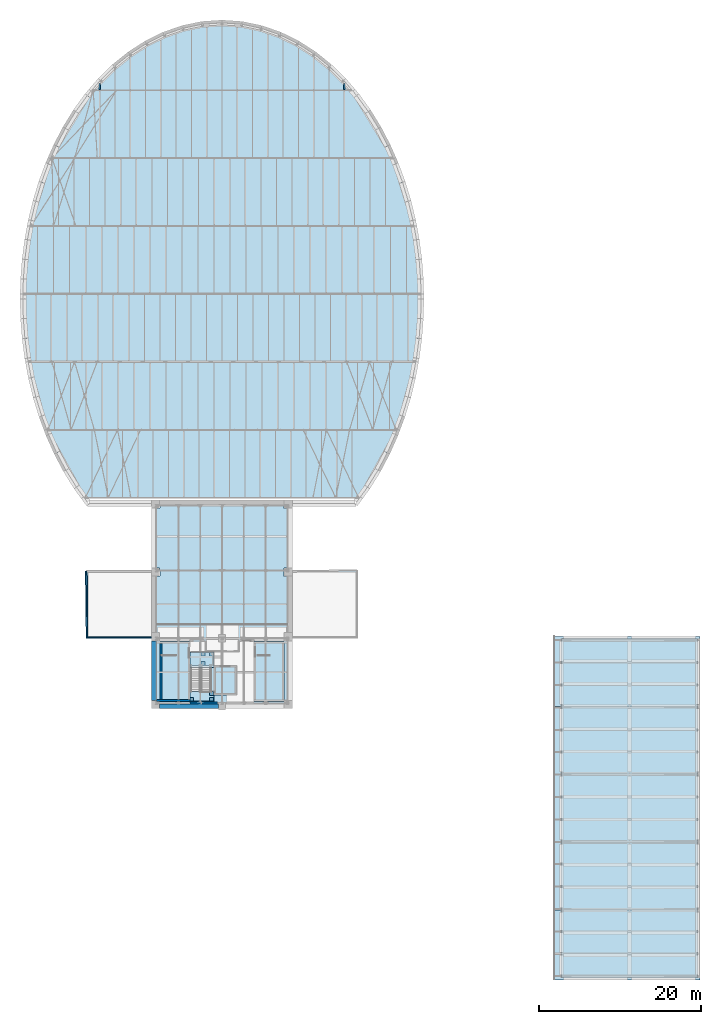
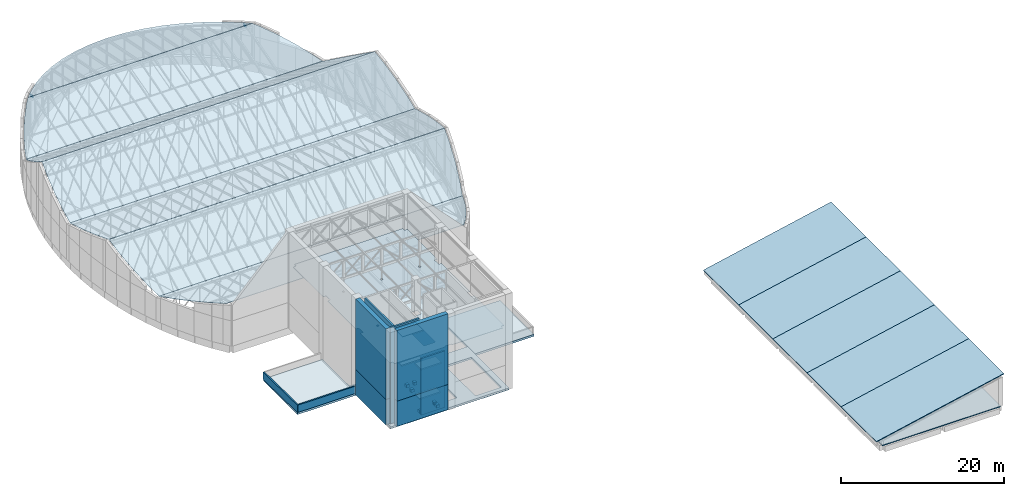
# One storey, part 35 of 68: 27 slabs, 9 walls, 2 members, 1 element without a shape of its own.
"""IFC4 building model written with IfcOpenShell, lengths in metres."""

from ifc_helpers import new_model, si_unit, direction, frame, frame_2d, origin, origin_2d, place, context, subcontext, project, spatial, polyline, rectangle, i_section, outline, extrude, material, layer, layer_set, material_profile, profile_set, type_object, element, aggregate, save


model = new_model("IFC4")

# Units and contexts
model_context = context("Model", 3, precision=1e-05, world=origin(), true_north=direction((0.0, 1.0)))
body_context = subcontext(model_context, "Body", "Model", "MODEL_VIEW")
ifc_project = project(units=[si_unit("LENGTHUNIT", "METRE"), si_unit("AREAUNIT", "SQUARE_METRE"), si_unit("VOLUMEUNIT", "CUBIC_METRE"), si_unit("PLANEANGLEUNIT", "RADIAN"), si_unit("MASSUNIT", "GRAM", prefix="KILO")], contexts=[model_context])

# Site, building, storey
site_placement = place(None, origin())
site = spatial("IfcSite", under=ifc_project, at=site_placement, CompositionType="ELEMENT")
building_placement = place(site_placement, origin())
building = spatial("IfcBuilding", under=site, at=building_placement, Name="Larchfold Concert Hall", CompositionType="ELEMENT")
storey_placement = place(building_placement, frame((0.0, 0.0, 28.800048828125)))
storey = spatial("IfcBuildingStorey", under=building, at=storey_placement, Name="L06", CompositionType="ELEMENT", Elevation=28.800048828125)

# Members
ifc_material_1 = material(Name="Steel S355", Category="steel")
ifc_material_profile = material_profile(ifc_material_1, i_section(OverallWidth=0.14990234375, OverallDepth=0.300048828125, WebThickness=0.007080078125, FlangeThickness=0.0107421875, FilletRadius=0.014892578125, at=origin_2d()))
ifc_profile_set = profile_set([ifc_material_profile], Name="Steel S355")
member_type = type_object("IfcMemberType", Name="Rafter IPE 300", PredefinedType="RAFTER", material=ifc_profile_set)
for number, where, z_axis, x_axis, name in (
    (1, (27.475341796875, 110.454833984375, 5.657958984375), (0.0, 0.98056854317, -0.196176787987), (-1.0, 0.0, 0.0), "Member RF0129"),
    (2, (57.724853515625, 110.454833984375, 5.657958984375), (0.0, 0.98056854317, -0.196176787987), (-1.0, 0.0, 0.0), "Member RF0145"),
):
    element("IfcMember", number, at=place(storey_placement, frame(where, z_axis=z_axis, x_axis=x_axis)), inside=storey, type_object=member_type, Name=name, PredefinedType="RAFTER", context=body_context, shape_type="SweptSolid", body=[
        extrude(i_section(OverallWidth=0.14990234375, OverallDepth=0.300048828125, WebThickness=0.007080078125, FlangeThickness=0.0107421875, FilletRadius=0.014892578125, at=origin_2d()), origin(), (0.0, 0.0, 1.0), 0.774169921875),
    ])

# Slabs
ifc_material_2 = material(Name="Steel S355", Category="steel")
ifc_layer_1 = layer(ifc_material_2, 0.10009765625)
ifc_layer_set_1 = layer_set([ifc_layer_1], Name="Steel S355")
slab_type_1 = type_object("IfcSlabType", Name="Roof plate 100 insulated", PredefinedType="ROOF", material=ifc_layer_set_1)
slab_1_placement = place(storey_placement, frame((101.699951171875, 0.35009765625, 4.91357421875), z_axis=(-0.209528189005, 0.0, 0.977802606875), x_axis=(0.0, 1.0, 0.0)))
element("IfcSlab", 3, at=slab_1_placement, inside=storey, type_object=slab_type_1, Name="Roof plate FP043", PredefinedType="ROOF", context=body_context, shape_type="SweptSolid", body=[
    extrude(outline(polyline([(0.0, 0.0), (8.64990234375, 0.0), (8.64990234375, 18.531217772856248), (0.0, 18.531217772856248), (0.0, 0.0)])), origin(), (0.0, 0.0, -1.0), 0.10009765625),
])
slab_2_placement = place(storey_placement, frame((101.699951171875, 9.0, 4.91357421875), z_axis=(-0.209528189005, 0.0, 0.977802606875), x_axis=(0.0, 1.0, 0.0)))
element("IfcSlab", 4, at=slab_2_placement, inside=storey, type_object=slab_type_1, Name="Roof plate FP044", PredefinedType="ROOF", context=body_context, shape_type="SweptSolid", body=[
    extrude(outline(polyline([(0.0, 0.0), (8.39990234375, 0.0), (8.39990234375, 18.531217772856248), (0.0, 18.531217772856248), (0.0, 0.0)])), origin(), (0.0, 0.0, -1.0), 0.10009765625),
])
slab_3_placement = place(storey_placement, frame((101.699951171875, 17.39990234375, 4.91357421875), z_axis=(-0.209528189005, 0.0, 0.977802606875), x_axis=(0.0, 1.0, 0.0)))
element("IfcSlab", 5, at=slab_3_placement, inside=storey, type_object=slab_type_1, Name="Roof plate FP045", PredefinedType="ROOF", context=body_context, shape_type="SweptSolid", body=[
    extrude(outline(polyline([(0.0, 0.0), (8.400146484375, 0.0), (8.400146484375, 18.531217772856248), (0.0, 18.531217772856248), (0.0, 0.0)])), origin(), (0.0, 0.0, -1.0), 0.10009765625),
])
slab_4_placement = place(storey_placement, frame((101.699951171875, 25.800048828125, 4.91357421875), z_axis=(-0.209528189005, 0.0, 0.977802606875), x_axis=(0.0, 1.0, 0.0)))
element("IfcSlab", 6, at=slab_4_placement, inside=storey, type_object=slab_type_1, Name="Roof plate FP046", PredefinedType="ROOF", context=body_context, shape_type="SweptSolid", body=[
    extrude(outline(polyline([(0.0, 0.0), (8.39990234375, 0.0), (8.39990234375, 18.531217772856248), (0.0, 18.531217772856248), (0.0, 0.0)])), origin(), (0.0, 0.0, -1.0), 0.10009765625),
])
slab_5_placement = place(storey_placement, frame((101.699951171875, 34.199951171875, 4.91357421875), z_axis=(-0.209528189005, 0.0, 0.977802606875), x_axis=(0.0, 1.0, 0.0)))
element("IfcSlab", 7, at=slab_5_placement, inside=storey, type_object=slab_type_1, Name="Roof plate FP047", PredefinedType="ROOF", context=body_context, shape_type="SweptSolid", body=[
    extrude(outline(polyline([(0.0, 0.0), (8.650146484375, 0.0), (8.650146484375, 18.531217772856248), (0.0, 18.531217772856248), (0.0, 0.0)])), origin(), (0.0, 0.0, -1.0), 0.10009765625),
])
ifc_material_3 = material(Name="Steel S355", Category="steel")
ifc_layer_2 = layer(ifc_material_3, 0.06005859375)
ifc_layer_set_2 = layer_set([ifc_layer_2], Name="Steel S355")
slab_type_2 = type_object("IfcSlabType", Name="Roof plate 60 steel deck and screed", PredefinedType="ROOF", material=ifc_layer_set_2)
slab_6_placement = place(storey_placement, frame((25.713623046875, 60.0, 5.8798828125), z_axis=(0.0, 0.272047877704, 0.962283717121), x_axis=(1.0, 0.0, 0.0)))
element("IfcSlab", 8, at=slab_6_placement, inside=storey, type_object=slab_type_2, Name="Roof plate FP001", PredefinedType="ROOF", context=body_context, shape_type="SweptSolid", body=[
    extrude(outline(polyline([(0.0, 0.0), (33.77294921875, 0.0), (34.780029296875, 1.429413752793889), (36.072265625, 3.591039877613774), (37.214599609375, 5.84217256787226), (38.210693359375, 8.166948386015171), (38.412109375, 8.729136542407618), (-4.63916015625, 8.729136542407618), (-4.437744140625, 8.166948386015171), (-3.441650390625, 5.84217256787226), (-2.29931640625, 3.591039877613774), (-1.007080078125, 1.429413752793889), (0.0, 0.0)])), origin(), (0.0, 0.0, -1.0), 0.06005859375),
])
slab_7_placement = place(storey_placement, frame((21.074462890625, 68.39990234375, 3.48681640625), z_axis=(0.0, -0.451430209332, 0.892306430607), x_axis=(1.0, 0.0, 0.0)))
element("IfcSlab", 9, at=slab_7_placement, inside=storey, type_object=slab_type_2, Name="Roof plate FP002", PredefinedType="ROOF", context=body_context, shape_type="SweptSolid", body=[
    extrude(outline(polyline([(0.0, 0.0), (43.05126953125, 0.0), (43.7041015625, 1.9658619420977927), (44.42041015625, 4.590323389429287), (45.001953125, 7.256384129624749), (45.361328125, 9.413972903255496), (-2.31005859375, 9.413972903255496), (-1.95068359375, 7.256384129624749), (-1.369140625, 4.590323389429287), (-0.65283203125, 1.9658619420977927), (0.0, 0.0)])), origin(), (0.0, 0.0, -1.0), 0.06005859375),
])
slab_8_placement = place(storey_placement, frame((67.084716796875, 85.199951171875, 5.347900390625), z_axis=(0.0, 0.274713477301, 0.961526133493), x_axis=(-1.0, 0.0, 0.0)))
element("IfcSlab", 10, at=slab_8_placement, inside=storey, type_object=slab_type_2, Name="Roof plate FP003", PredefinedType="ROOF", context=body_context, shape_type="SweptSolid", body=[
    extrude(outline(polyline([(0.0, 0.0), (48.96923828125, 0.0), (48.984619140625, 0.6238570730118589), (48.921142578125, 3.1700578003387556), (48.72998046875, 5.709383792943312), (48.410400390625, 8.234490820920817), (48.3203125, 8.73601114033559), (0.64892578125, 8.73601114033559), (0.558837890625, 8.234490820920817), (0.2392578125, 5.709383792943312), (0.048095703125, 3.1700578003387556), (-0.015380859375, 0.6238570730118589), (0.0, 0.0)])), origin(), (0.0, 0.0, -1.0), 0.06005859375),
])
slab_9_placement = place(storey_placement, frame((66.212646484375, 93.60009765625, 9.138916015625), z_axis=(0.0, -0.412144083138, 0.911118683122), x_axis=(-1.0, 0.0, 0.0)))
element("IfcSlab", 11, at=slab_9_placement, inside=storey, type_object=slab_type_2, Name="Roof plate FP004", PredefinedType="ROOF", context=body_context, shape_type="SweptSolid", body=[
    extrude(outline(polyline([(0.0, 0.0), (47.22509765625, 0.0), (47.54541015625, 1.8955357984492345), (47.861083984375, 4.544343543189496), (48.0498046875, 7.207578013243213), (48.09716796875, 9.219597421910514), (-0.8720703125, 9.219597421910514), (-0.82470703125, 7.207578013243213), (-0.635986328125, 4.544343543189496), (-0.3203125, 1.8955357984492345), (0.0, 0.0)])), origin(), (0.0, 0.0, -1.0), 0.06005859375),
])
slab_10_placement = place(storey_placement, frame((63.6298828125, 102.0, 3.481689453125), z_axis=(0.0, 0.558112523986, 0.829765274382), x_axis=(-1.0, 0.0, 0.0)))
element("IfcSlab", 12, at=slab_10_placement, inside=storey, type_object=slab_type_2, Name="Roof plate FP005", PredefinedType="ROOF", context=body_context, shape_type="SweptSolid", body=[
    extrude(outline(polyline([(0.0, 0.0), (42.0595703125, 0.0), (42.393798828125, 0.9120939851304994), (43.2373046875, 3.6634765184841522), (43.944580078125, 6.4701124819174005), (44.518798828125, 9.320558571884217), (44.642333984375, 10.123228530387141), (-2.582763671875, 10.123228530387141), (-2.459228515625, 9.320558571884217), (-1.885009765625, 6.4701124819174005), (-1.177734375, 3.6634765184841522), (-0.334228515625, 0.9120939851304994), (0.0, 0.0)])), origin(), (0.0, 0.0, -1.0), 0.06005859375),
])
slab_11_placement = place(storey_placement, frame((58.52490234375, 110.39990234375, 5.872802734375), z_axis=(0.0, -0.272049396413, 0.962283287765), x_axis=(-1.0, 0.0, 0.0)))
element("IfcSlab", 13, at=slab_11_placement, inside=storey, type_object=slab_type_2, Name="Roof plate FP006", PredefinedType="ROOF", context=body_context, shape_type="SweptSolid", body=[
    extrude(outline(polyline([(0.0, 0.0), (31.849609375, 0.0), (32.47509765625, 0.7588064095882153), (33.90283203125, 2.8070490253439884), (35.17822265625, 4.960794479744892), (36.305419921875, 7.202335553876038), (36.95458984375, 8.729136542417722), (-5.10498046875, 8.729136542417722), (-4.455810546875, 7.202335553876038), (-3.32861328125, 4.960794479744892), (-2.05322265625, 2.8070490253439884), (-0.62548828125, 0.7588064095882153), (0.0, 0.0)])), origin(), (0.0, 0.0, -1.0), 0.06005859375),
])
slab_12_placement = place(storey_placement, frame((26.67529296875, 110.39990234375, 5.883056640625), z_axis=(0.0, 0.196101380718, 0.98058362646), x_axis=(1.0, 0.0, 0.0)))
element("IfcSlab", 14, at=slab_12_placement, inside=storey, type_object=slab_type_2, Name="Roof plate FP007", PredefinedType="ROOF", context=body_context, shape_type="SweptSolid", body=[
    extrude(outline(polyline([(0.0, 0.0), (31.849609375, 0.0), (30.89208984375, 1.140020798074973), (29.15234375, 2.8749016657240927), (27.2568359375, 4.430759528918187), (25.2119140625, 5.774988164277162), (23.0302734375, 6.872443716485682), (20.73291015625, 7.688365359468797), (18.351318359375, 8.19201419592819), (15.9248046875, 8.36256245600708), (13.498291015625, 8.19201419592819), (11.11669921875, 7.688365359468797), (8.8193359375, 6.872443716485682), (6.6376953125, 5.774988164277162), (4.5927734375, 4.430759528918187), (2.697265625, 2.8749016657240927), (0.95751953125, 1.140020798074973), (0.0, 0.0)])), origin(), (0.0, 0.0, -1.0), 0.06005859375),
])
ifc_material_4 = material(Name="Concrete C35/45", Category="concrete")
ifc_layer_3 = layer(ifc_material_4, 0.139892578125)
ifc_layer_set_3 = layer_set([ifc_layer_3], Name="Concrete C35/45")
slab_type_3 = type_object("IfcSlabType", Name="Roof slab 140 under roof space", PredefinedType="ROOF", material=ifc_layer_set_3)
slab_13_placement = place(storey_placement, frame((0.0, 0.0, -0.14013671875)))
element("IfcSlab", 15, at=slab_13_placement, inside=storey, type_object=slab_type_3, Name="Slab S0001", PredefinedType="ROOF", context=body_context, shape_type="SweptSolid", body=[
    extrude(outline(polyline([(101.39990234375, 0.60009765625), (101.39990234375, 42.60009765625), (84.60009765625, 42.60009765625), (84.60009765625, 0.60009765625), (101.39990234375, 0.60009765625)])), origin(), (0.0, 0.0, 1.0), 0.14013671875),
])
ifc_material_5 = material(Name="Concrete C35/45", Category="concrete")
ifc_layer_4 = layer(ifc_material_5, 0.300048828125)
ifc_layer_set_4 = layer_set([ifc_layer_4], Name="Concrete C35/45")
slab_type_4 = type_object("IfcSlabType", Name="Roof slab 300 stage house", PredefinedType="ROOF", material=ifc_layer_set_4)
slab_14_placement = place(storey_placement, frame((0.0, 0.0, -0.300048828125)))
element("IfcSlab", 16, at=slab_14_placement, inside=storey, type_object=slab_type_4, Name="Slab S0003", PredefinedType="ROOF", context=body_context, shape_type="SweptSolid", body=[
    extrude(outline(polyline([(25.800048828125, 42.60009765625), (34.18994140625, 42.60009765625), (34.18994140625, 51.0), (25.800048828125, 51.0), (25.800048828125, 42.60009765625)])), origin(), (0.0, 0.0, 1.0), 0.300048828125),
])
slab_15_placement = place(storey_placement, frame((0.0, 0.0, -0.300048828125)))
element("IfcSlab", 17, at=slab_15_placement, inside=storey, type_object=slab_type_4, Name="Slab S0004", PredefinedType="ROOF", context=body_context, shape_type="SweptSolid", body=[
    extrude(outline(polyline([(59.39990234375, 42.60009765625), (59.39990234375, 51.0), (51.010009765625, 51.0), (51.010009765625, 42.60009765625), (59.39990234375, 42.60009765625)])), origin(), (0.0, 0.0, 1.0), 0.300048828125),
])
ifc_material_6 = material(Name="Concrete C35/45", Category="concrete")
ifc_layer_5 = layer(ifc_material_6, 0.280029296875)
ifc_layer_set_5 = layer_set([ifc_layer_5], Name="Concrete C35/45")
slab_type_5 = type_object("IfcSlabType", Name="Slab 280 flat plate", PredefinedType="FLOOR", material=ifc_layer_set_5)
slab_16_placement = place(storey_placement, frame((0.0, 0.0, -0.2802734375)))
element("IfcSlab", 18, at=slab_16_placement, inside=storey, type_object=slab_type_5, Name="Slab S0002", PredefinedType="FLOOR", context=body_context, shape_type="SweptSolid", body=[
    extrude(outline(polyline([(51.0, 42.60009765625), (51.010009765625, 51.0), (51.0, 44.39990234375), (34.199951171875, 44.39990234375), (34.199951171875, 59.39990234375), (34.199951171875, 51.0), (34.18994140625, 42.60009765625), (34.199951171875, 34.199951171875), (51.0, 34.199951171875), (51.0, 42.60009765625)]), holes=[polyline([(44.39990234375, 35.60009765625), (41.60009765625, 35.60009765625), (41.60009765625, 39.199951171875), (44.39990234375, 39.199951171875), (44.39990234375, 35.60009765625)]), polyline([(38.64990234375, 34.800048828125), (34.949951171875, 34.800048828125), (34.949951171875, 42.199951171875), (38.64990234375, 42.199951171875), (38.64990234375, 34.800048828125)]), polyline([(50.25, 34.800048828125), (46.550048828125, 34.800048828125), (46.550048828125, 42.199951171875), (50.25, 42.199951171875), (50.25, 34.800048828125)])]), origin(), (0.0, 0.0, 1.0), 0.2802734375),
])

# Stair, slabs
ifc_material_7 = material(Name="Steel S355", Category="steel")
stair_type = type_object("IfcStairType", Name="Stair steel service", PredefinedType="HALF_TURN_STAIR", material=ifc_material_7)
stair_placement = place(storey_placement, origin())
stair = element("IfcStair", 19, at=stair_placement, inside=storey, type_object=stair_type, Name="Stair SV01", PredefinedType="HALF_TURN_STAIR")
ifc_material_8 = material(Name="Steel S355", Category="steel")
ifc_layer_6 = layer(ifc_material_8, 0.199951171875)
ifc_layer_set_6 = layer_set([ifc_layer_6], Name="Steel S355")
slab_type_6 = type_object("IfcSlabType", Name="Stair landing steel plate 200", PredefinedType="LANDING", material=ifc_layer_set_6)
slab_17_placement = place(storey_placement, frame((0.0, 0.0, 2.109375)))
slab_17 = element("IfcSlab", 20, at=slab_17_placement, type_object=slab_type_6, Name="SV01 landing 1", PredefinedType="LANDING", context=body_context, shape_type="SweptSolid", body=[
    extrude(outline(polyline([(38.64990234375, 34.830078125), (41.60009765625, 34.830078125), (41.60009765625, 36.030029296875), (38.64990234375, 36.030029296875), (38.64990234375, 34.830078125)])), origin(), (0.0, 0.0, 1.0), 0.199951171875),
])
slab_18_placement = place(storey_placement, frame((0.0, 0.0, 4.418701171875)))
slab_18 = element("IfcSlab", 21, at=slab_18_placement, type_object=slab_type_6, Name="SV01 landing 2", PredefinedType="LANDING", context=body_context, shape_type="SweptSolid", body=[
    extrude(outline(polyline([(38.64990234375, 39.27001953125), (41.60009765625, 39.27001953125), (41.60009765625, 40.929931640625), (38.64990234375, 40.929931640625), (38.64990234375, 39.27001953125)])), origin(), (0.0, 0.0, 1.0), 0.2001953125),
])
slab_19_placement = place(storey_placement, frame((0.0, 0.0, 6.728271484375)))
slab_19 = element("IfcSlab", 22, at=slab_19_placement, type_object=slab_type_6, Name="SV01 landing 3", PredefinedType="LANDING", context=body_context, shape_type="SweptSolid", body=[
    extrude(outline(polyline([(38.64990234375, 34.5), (41.60009765625, 34.5), (41.60009765625, 36.030029296875), (38.64990234375, 36.030029296875), (38.64990234375, 34.5)])), origin(), (0.0, 0.0, 1.0), 0.199951171875),
])
slab_20_placement = place(storey_placement, frame((0.0, 0.0, 8.85986328125)))
slab_20 = element("IfcSlab", 23, at=slab_20_placement, type_object=slab_type_6, Name="SV01 landing 4", PredefinedType="LANDING", context=body_context, shape_type="SweptSolid", body=[
    extrude(outline(polyline([(38.64990234375, 39.0), (41.60009765625, 39.0), (41.60009765625, 40.929931640625), (38.64990234375, 40.929931640625), (38.64990234375, 39.0)])), origin(), (0.0, 0.0, 1.0), 0.2001953125),
])
aggregate(stair, [slab_17, slab_18, slab_19, slab_20])

# Slabs
ifc_material_9 = material(Name="Concrete C35/45", Category="concrete")
ifc_layer_7 = layer(ifc_material_9, 0.449951171875)
ifc_layer_set_7 = layer_set([ifc_layer_7], Name="Concrete C35/45")
slab_type_7 = type_object("IfcSlabType", Name="Stair post plinth RC 450", PredefinedType="FLOOR", material=ifc_layer_set_7)
slab_21_placement = place(storey_placement, origin())
element("IfcSlab", 24, at=slab_21_placement, inside=storey, type_object=slab_type_7, Name="Slab PL01", PredefinedType="FLOOR", context=body_context, shape_type="SweptSolid", body=[
    extrude(outline(polyline([(39.10498046875, 34.85498046875), (39.10498046875, 35.304931640625), (38.655029296875, 35.304931640625), (38.655029296875, 34.85498046875), (39.10498046875, 34.85498046875)])), origin(), (0.0, 0.0, 1.0), 0.449951171875),
])
slab_22_placement = place(storey_placement, origin())
element("IfcSlab", 25, at=slab_22_placement, inside=storey, type_object=slab_type_7, Name="Slab PL02", PredefinedType="FLOOR", context=body_context, shape_type="SweptSolid", body=[
    extrude(outline(polyline([(41.52490234375, 34.85498046875), (41.52490234375, 35.304931640625), (41.074951171875, 35.304931640625), (41.074951171875, 34.85498046875), (41.52490234375, 34.85498046875)])), origin(), (0.0, 0.0, 1.0), 0.449951171875),
])
slab_23_placement = place(storey_placement, origin())
element("IfcSlab", 26, at=slab_23_placement, inside=storey, type_object=slab_type_7, Name="Slab PL03", PredefinedType="FLOOR", context=body_context, shape_type="SweptSolid", body=[
    extrude(outline(polyline([(41.52490234375, 35.554931640625), (41.52490234375, 36.0048828125), (41.074951171875, 36.0048828125), (41.074951171875, 35.554931640625), (41.52490234375, 35.554931640625)])), origin(), (0.0, 0.0, 1.0), 0.449951171875),
])
slab_24_placement = place(storey_placement, origin())
element("IfcSlab", 27, at=slab_24_placement, inside=storey, type_object=slab_type_7, Name="Slab PL04", PredefinedType="FLOOR", context=body_context, shape_type="SweptSolid", body=[
    extrude(outline(polyline([(40.47509765625, 39.27490234375), (40.47509765625, 39.72509765625), (40.02490234375, 39.72509765625), (40.02490234375, 39.27490234375), (40.47509765625, 39.27490234375)])), origin(), (0.0, 0.0, 1.0), 0.449951171875),
])
slab_25_placement = place(storey_placement, origin())
element("IfcSlab", 28, at=slab_25_placement, inside=storey, type_object=slab_type_7, Name="Slab PL05", PredefinedType="FLOOR", context=body_context, shape_type="SweptSolid", body=[
    extrude(outline(polyline([(40.47509765625, 40.445068359375), (40.47509765625, 40.89501953125), (40.02490234375, 40.89501953125), (40.02490234375, 40.445068359375), (40.47509765625, 40.445068359375)])), origin(), (0.0, 0.0, 1.0), 0.449951171875),
])
slab_26_placement = place(storey_placement, origin())
element("IfcSlab", 29, at=slab_26_placement, inside=storey, type_object=slab_type_7, Name="Slab PL06", PredefinedType="FLOOR", context=body_context, shape_type="SweptSolid", body=[
    extrude(outline(polyline([(41.52490234375, 40.445068359375), (41.52490234375, 40.89501953125), (41.074951171875, 40.89501953125), (41.074951171875, 40.445068359375), (41.52490234375, 40.445068359375)])), origin(), (0.0, 0.0, 1.0), 0.449951171875),
])
ifc_material_10 = material(Name="Steel S355", Category="steel")
ifc_layer_8 = layer(ifc_material_10, 0.06005859375)
ifc_layer_set_8 = layer_set([ifc_layer_8], Name="Steel S355")
slab_type_8 = type_object("IfcSlabType", Name="Steel grating deck 60", PredefinedType="LANDING", material=ifc_layer_set_8)
slab_27_placement = place(storey_placement, frame((0.0, 0.0, 8.999755859375)))
element("IfcSlab", 30, at=slab_27_placement, inside=storey, type_object=slab_type_8, Name="Slab GD01", PredefinedType="LANDING", context=body_context, shape_type="SweptSolid", body=[
    extrude(outline(polyline([(34.5, 42.280029296875), (34.5, 34.919921875), (34.89990234375, 34.919921875), (34.919921875, 34.5), (42.130126953125, 34.5), (42.130126953125, 34.64990234375), (43.050048828125, 34.669921875), (43.070068359375, 34.5), (50.280029296875, 34.5), (50.280029296875, 34.89990234375), (50.699951171875, 34.919921875), (50.699951171875, 42.280029296875), (50.300048828125, 42.280029296875), (50.280029296875, 43.300048828125), (50.699951171875, 43.320068359375), (50.699951171875, 50.280029296875), (50.300048828125, 50.280029296875), (50.280029296875, 51.300048828125), (50.699951171875, 51.320068359375), (50.699951171875, 58.679931640625), (50.300048828125, 58.679931640625), (50.280029296875, 59.10009765625), (34.919921875, 59.10009765625), (34.919921875, 58.699951171875), (34.5, 58.679931640625), (34.5, 51.320068359375), (34.89990234375, 51.320068359375), (34.919921875, 50.300048828125), (34.5, 50.280029296875), (34.5, 43.320068359375), (34.89990234375, 43.320068359375), (34.919921875, 42.300048828125), (34.5, 42.280029296875)]), holes=[polyline([(41.60009765625, 36.030029296875), (39.97509765625, 36.030029296875), (39.97509765625, 39.0), (38.64990234375, 39.0), (38.64990234375, 40.929931640625), (41.60009765625, 40.929931640625), (41.60009765625, 39.0), (41.60009765625, 36.030029296875)]), polyline([(37.080078125, 42.47998046875), (37.080078125, 42.719970703125), (37.320068359375, 42.719970703125), (37.320068359375, 42.47998046875), (37.080078125, 42.47998046875)]), polyline([(47.8798828125, 42.47998046875), (47.8798828125, 42.719970703125), (48.1201171875, 42.719970703125), (48.1201171875, 42.47998046875), (47.8798828125, 42.47998046875)]), polyline([(37.080078125, 50.8798828125), (37.080078125, 51.1201171875), (37.320068359375, 51.1201171875), (37.320068359375, 50.8798828125), (37.080078125, 50.8798828125)]), polyline([(42.47998046875, 50.8798828125), (42.47998046875, 51.1201171875), (42.719970703125, 51.1201171875), (42.719970703125, 50.8798828125), (42.47998046875, 50.8798828125)]), polyline([(47.8798828125, 50.8798828125), (47.8798828125, 51.1201171875), (48.1201171875, 51.1201171875), (48.1201171875, 50.8798828125), (47.8798828125, 50.8798828125)]), polyline([(43.070068359375, 43.050048828125), (43.070068359375, 42.150146484375), (42.150146484375, 42.130126953125), (42.130126953125, 43.050048828125), (43.070068359375, 43.050048828125)])]), origin(), (0.0, 0.0, 1.0), 0.060302734375),
])

# Walls
ifc_material_11 = material(Name="Plasterboard partition on steel studs", Category="steel")
ifc_layer_9 = layer(ifc_material_11, 0.25)
ifc_layer_set_9 = layer_set([ifc_layer_9], Name="Plasterboard partition on steel studs")
wall_type_1 = type_object("IfcWallType", Name="Hall acoustic double-leaf partition 250", PredefinedType="PARTITIONING", material=ifc_layer_set_9)
wall_1_placement = place(storey_placement, frame((42.070068359375, 34.626953125, 0.0), z_axis=(0.0, 0.0, 1.0), x_axis=(-1.0, 0.0, 0.0)))
element("IfcWall", 31, at=wall_1_placement, inside=storey, type_object=wall_type_1, Name="Partition IW0002", PredefinedType="PARTITIONING", context=body_context, shape_type="SweptSolid", body=[
    extrude(rectangle(XDim=3.400146484375, YDim=0.25, at=frame_2d((1.7001953125, 0.0))), origin(), (0.0, 0.0, 1.0), 8.5),
])
ifc_material_12 = material(Name="White render on insulated block")
ifc_layer_10 = layer(ifc_material_12, 0.199951171875)
ifc_layer_set_10 = layer_set([ifc_layer_10], Name="White render on insulated block")
wall_type_2 = type_object("IfcWallType", Name="Roof parapet 200", PredefinedType="PARAPET", material=ifc_layer_set_10)
wall_2_placement = place(storey_placement, frame((25.800048828125, 42.7001953125, 0.0), z_axis=(0.0, 0.0, 1.0), x_axis=(1.0, 0.0, 0.0)))
element("IfcWall", 32, at=wall_2_placement, inside=storey, type_object=wall_type_2, Name="Parapet PW0005", PredefinedType="PARAPET", context=body_context, shape_type="SweptSolid", body=[
    extrude(rectangle(XDim=8.389892578125, YDim=0.199951171875, at=frame_2d((4.19482421875, 0.0))), origin(), (0.0, 0.0, 1.0), 1.10009765625),
])
wall_3_placement = place(storey_placement, frame((25.800048828125, 50.89990234375, 0.0), z_axis=(0.0, 0.0, 1.0), x_axis=(0.012059365399, -0.999927283209, 0.0)))
element("IfcWall", 33, at=wall_3_placement, inside=storey, type_object=wall_type_2, Name="Parapet PW0007", PredefinedType="PARAPET", context=body_context, shape_type="SweptSolid", body=[
    extrude(rectangle(XDim=8.30029296875, YDim=0.199951171875, at=frame_2d((4.150146484375, 0.0))), origin(), (0.0, 0.0, 1.0), 1.10009765625),
])
ifc_material_13 = material(Name="Concrete C40/50", Category="concrete")
ifc_layer_11 = layer(ifc_material_13, 0.25)
ifc_layer_set_11 = layer_set([ifc_layer_11], Name="Concrete C40/50")
wall_type_3 = type_object("IfcWallType", Name="Wall RC 250 stair core", PredefinedType="SOLIDWALL", material=ifc_layer_set_11)
wall_4_placement = place(storey_placement, frame((34.5, 34.925048828125, 0.0), z_axis=(0.0, 0.0, 1.0), x_axis=(1.0, 0.0, 0.0)))
element("IfcWall", 34, at=wall_4_placement, inside=storey, type_object=wall_type_3, Name="Wall W0016", PredefinedType="SOLIDWALL", context=body_context, shape_type="SweptSolid", body=[
    extrude(rectangle(XDim=4.14990234375, YDim=0.25, at=frame_2d((2.074951171875, 0.0))), origin(), (0.0, 0.0, 1.0), 14.39990234375),
])
wall_5_placement = place(storey_placement, frame((35.074951171875, 35.050048828125, 0.0), z_axis=(0.0, 0.0, 1.0), x_axis=(0.0, 1.0, 0.0)))
element("IfcWall", 35, at=wall_5_placement, inside=storey, type_object=wall_type_3, Name="Wall W0018", PredefinedType="SOLIDWALL", context=body_context, shape_type="SweptSolid", body=[
    extrude(rectangle(XDim=6.89990234375, YDim=0.25, at=frame_2d((3.449951171875, 0.0))), origin(), (0.0, 0.0, 1.0), 14.39990234375),
])
ifc_material_14 = material(Name="Concrete C40/50", Category="concrete")
ifc_layer_12 = layer(ifc_material_14, 0.60009765625)
ifc_layer_set_12 = layer_set([ifc_layer_12], Name="Concrete C40/50")
wall_type_4 = type_object("IfcWallType", Name="Wall RC 600 stage house", PredefinedType="SOLIDWALL", material=ifc_layer_set_12)
wall_6_placement = place(storey_placement, frame((34.199951171875, 42.300048828125, 0.0), z_axis=(0.0, 0.0, 1.0), x_axis=(0.0, -1.0, 0.0)))
element("IfcWall", 36, at=wall_6_placement, inside=storey, type_object=wall_type_4, Name="Wall W0010", PredefinedType="SOLIDWALL", context=body_context, shape_type="SweptSolid", body=[
    extrude(rectangle(XDim=7.400146484375, YDim=0.60009765625, at=frame_2d((3.7001953125, 0.0))), origin(), (0.0, 0.0, 1.0), 3.800048828125),
])
wall_7_placement = place(storey_placement, frame((34.199951171875, 42.300048828125, 3.800048828125), z_axis=(0.0, 0.0, 1.0), x_axis=(0.0, -1.0, 0.0)))
element("IfcWall", 37, at=wall_7_placement, inside=storey, type_object=wall_type_4, Name="Wall W0011", PredefinedType="SOLIDWALL", context=body_context, shape_type="SweptSolid", body=[
    extrude(rectangle(XDim=7.400146484375, YDim=0.60009765625, at=frame_2d((3.7001953125, 0.0))), origin(), (0.0, 0.0, 1.0), 10.599853515625),
])
wall_8_placement = place(storey_placement, frame((34.89990234375, 34.199951171875, 0.0), z_axis=(0.0, 0.0, 1.0), x_axis=(1.0, 0.0, 0.0)))
element("IfcWall", 38, at=wall_8_placement, inside=storey, type_object=wall_type_4, Name="Wall W0012", PredefinedType="SOLIDWALL", context=body_context, shape_type="SweptSolid", body=[
    extrude(rectangle(XDim=7.250244140625, YDim=0.60009765625, at=frame_2d((3.625, 0.0))), origin(), (0.0, 0.0, 1.0), 3.800048828125),
])
wall_9_placement = place(storey_placement, frame((34.89990234375, 34.199951171875, 3.800048828125), z_axis=(0.0, 0.0, 1.0), x_axis=(1.0, 0.0, 0.0)))
element("IfcWall", 39, at=wall_9_placement, inside=storey, type_object=wall_type_4, Name="Wall W0013", PredefinedType="SOLIDWALL", context=body_context, shape_type="SweptSolid", body=[
    extrude(rectangle(XDim=7.250244140625, YDim=0.60009765625, at=frame_2d((3.625, 0.0))), origin(), (0.0, 0.0, 1.0), 10.599853515625),
])

save(model, "model.ifc")
